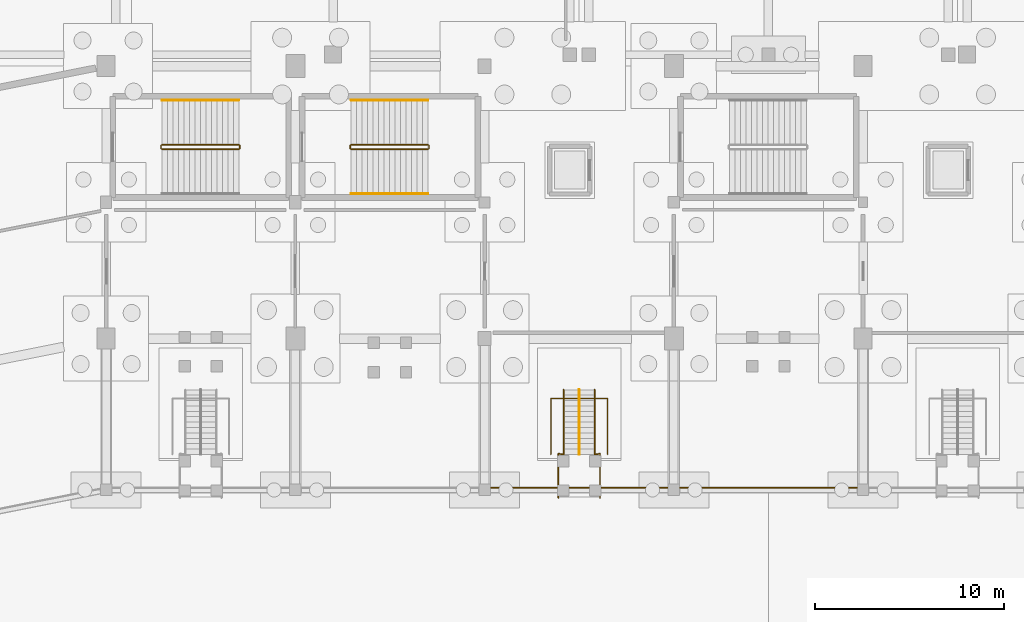
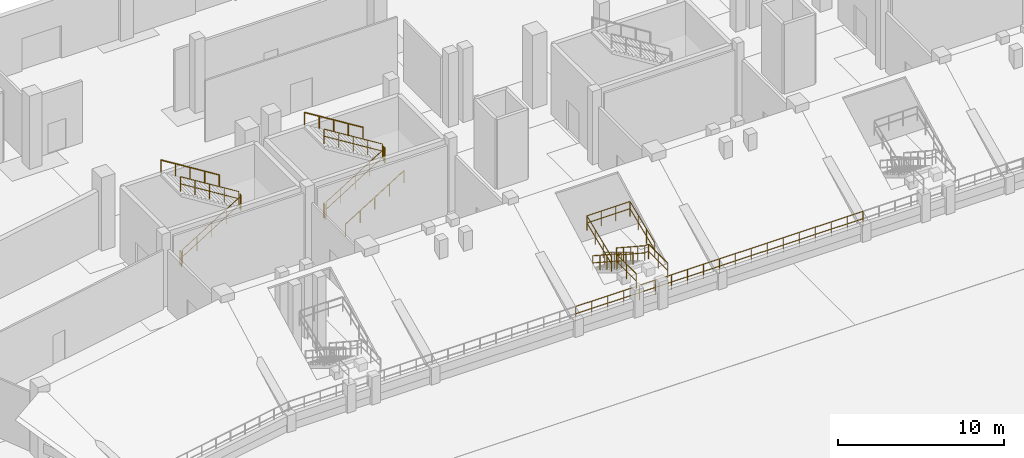
# One storey, part 63 of 68: 17 railings.
"""IFC4 building model written with IfcOpenShell, lengths in metres."""

from ifc_helpers import new_model, si_unit, direction, frame, origin, origin_2d, place, context, subcontext, project, spatial, circle, extrude, material, layer, layer_set, type_object, element, save


model = new_model("IFC4")

# Units and contexts
model_context = context("Model", 3, precision=1e-05, world=origin(), true_north=direction((0.0, 1.0)))
body_context = subcontext(model_context, "Body", "Model", "MODEL_VIEW")
ifc_project = project(units=[si_unit("LENGTHUNIT", "METRE"), si_unit("AREAUNIT", "SQUARE_METRE"), si_unit("VOLUMEUNIT", "CUBIC_METRE"), si_unit("PLANEANGLEUNIT", "RADIAN"), si_unit("MASSUNIT", "GRAM", prefix="KILO")], contexts=[model_context])

# Site, building, storey
site_placement = place(None, origin())
site = spatial("IfcSite", under=ifc_project, at=site_placement, CompositionType="ELEMENT")
building_placement = place(site_placement, origin())
building = spatial("IfcBuilding", under=site, at=building_placement, Name="Candeia Ridge Stadium", CompositionType="ELEMENT")
storey_placement = place(building_placement, origin())
storey = spatial("IfcBuildingStorey", under=building, at=storey_placement, Name="L00", CompositionType="ELEMENT", Elevation=0.0)

# Railings
ifc_material_1 = material(Name="Galvanized Powder-Coated Steel", Category="steel")
ifc_layer_1 = layer(ifc_material_1, 0.074951171875, Name="Galvanized Powder-Coated Steel", Category="steel")
ifc_layer_set_1 = layer_set([ifc_layer_1], Name="Galvanized Powder-Coated Steel")
railing_type_1 = type_object("IfcRailingType", Name="Spectator Bowl Front Guardrail 1120", PredefinedType="GUARDRAIL", material=ifc_layer_set_1)
for number, where, name in (
    (1, (111.0, 124.719970703125, 0.85009765625), "Stand T1 front safety guardrail bay 04"),
    (2, (101.0, 124.719970703125, 0.85009765625), "Stand T1 front safety guardrail bay 05"),
):
    element("IfcRailing", number, at=place(storey_placement, frame(where)), inside=storey, type_object=railing_type_1, Name=name, PredefinedType="GUARDRAIL", context=body_context, shape_type="SweptSolid", body=[
        extrude(circle(Radius=0.02392578125, at=origin_2d()), frame((0.0, 0.0, 1.09619140625), z_axis=(-1.0, 0.0, 0.0), x_axis=(0.0, -1.0, 0.0)), (0.0, 0.0, 1.0), 10.0),
        extrude(circle(Radius=0.02392578125, at=origin_2d()), frame((0.0, 0.0, 0.56005859375), z_axis=(-1.0, 0.0, 0.0), x_axis=(0.0, -1.0, 0.0)), (0.0, 0.0, 1.0), 10.0),
        extrude(circle(Radius=0.02099609375, at=origin_2d()), origin(), (0.0, 0.0, 1.0), 1.072021484375),
        extrude(circle(Radius=0.02099609375, at=origin_2d()), frame((-1.111083984375, 0.0, 0.0)), (0.0, 0.0, 1.0), 1.072021484375),
        extrude(circle(Radius=0.02099609375, at=origin_2d()), frame((-2.22216796875, 0.0, 0.0)), (0.0, 0.0, 1.0), 1.072021484375),
        extrude(circle(Radius=0.02099609375, at=origin_2d()), frame((-3.333251953125, 0.0, 0.0)), (0.0, 0.0, 1.0), 1.072021484375),
        extrude(circle(Radius=0.02099609375, at=origin_2d()), frame((-4.4443359375, 0.0, 0.0)), (0.0, 0.0, 1.0), 1.072021484375),
        extrude(circle(Radius=0.02099609375, at=origin_2d()), frame((-5.5556640625, 0.0, 0.0)), (0.0, 0.0, 1.0), 1.072021484375),
        extrude(circle(Radius=0.02099609375, at=origin_2d()), frame((-6.666748046875, 0.0, 0.0)), (0.0, 0.0, 1.0), 1.072021484375),
        extrude(circle(Radius=0.02099609375, at=origin_2d()), frame((-7.77783203125, 0.0, 0.0)), (0.0, 0.0, 1.0), 1.072021484375),
        extrude(circle(Radius=0.02099609375, at=origin_2d()), frame((-8.888916015625, 0.0, 0.0)), (0.0, 0.0, 1.0), 1.072021484375),
        extrude(circle(Radius=0.02099609375, at=origin_2d()), frame((-10.0, 0.0, 0.0)), (0.0, 0.0, 1.0), 1.072021484375),
    ])
ifc_material_2 = material(Name="Brushed Stainless Steel", Category="steel")
ifc_layer_2 = layer(ifc_material_2, 0.048095703125, Name="Brushed Stainless Steel", Category="steel")
ifc_layer_set_2 = layer_set([ifc_layer_2], Name="Brushed Stainless Steel")
railing_type_2 = type_object("IfcRailingType", Name="Stair Wall & Flight Handrail 900", PredefinedType="HANDRAIL", material=ifc_layer_set_2)
railing_1_placement = place(storey_placement, frame((78.010009765625, 145.199951171875, 2.8798828125)))
element("IfcRailing", 3, at=railing_1_placement, inside=storey, type_object=railing_type_2, Name="L00 ST01 stair handrail 2", PredefinedType="HANDRAIL", context=body_context, shape_type="SweptSolid", body=[
    extrude(circle(Radius=0.02392578125, at=origin_2d()), frame((0.0, 0.0, 0.8759765625), z_axis=(-0.849641744969, 0.0, 0.527360318194), x_axis=(0.0, -1.0, 0.0)), (0.0, 0.0, 1.0), 4.778564453125),
    extrude(circle(Radius=0.02099609375, at=origin_2d()), origin(), (0.0, 0.0, 1.0), 0.851806640625),
    extrude(circle(Radius=0.02099609375, at=origin_2d()), frame((-1.01513671875, 0.0, 0.6298828125)), (0.0, 0.0, 1.0), 0.851806640625),
    extrude(circle(Radius=0.02099609375, at=origin_2d()), frame((-2.030029296875, 0.0, 1.260009765625)), (0.0, 0.0, 1.0), 0.851806640625),
    extrude(circle(Radius=0.02099609375, at=origin_2d()), frame((-3.044921875, 0.0, 1.89013671875)), (0.0, 0.0, 1.0), 0.851806640625),
    extrude(circle(Radius=0.02099609375, at=origin_2d()), frame((-4.06005859375, 0.0, 2.52001953125)), (0.0, 0.0, 1.0), 0.851806640625),
])
railing_2_placement = place(storey_placement, frame((83.949951171875, 140.25, 0.179931640625)))
element("IfcRailing", 4, at=railing_2_placement, inside=storey, type_object=railing_type_2, Name="L00 ST09 stair handrail 1", PredefinedType="HANDRAIL", context=body_context, shape_type="SweptSolid", body=[
    extrude(circle(Radius=0.02392578125, at=origin_2d()), frame((0.0, 0.0, 0.8759765625), z_axis=(0.849641744969, 0.0, 0.527360318194), x_axis=(0.0, 1.0, 0.0)), (0.0, 0.0, 1.0), 4.778564453125),
    extrude(circle(Radius=0.02099609375, at=origin_2d()), origin(), (0.0, 0.0, 1.0), 0.851806640625),
    extrude(circle(Radius=0.02099609375, at=origin_2d()), frame((1.01513671875, 0.0, 0.6298828125)), (0.0, 0.0, 1.0), 0.851806640625),
    extrude(circle(Radius=0.02099609375, at=origin_2d()), frame((2.030029296875, 0.0, 1.260009765625)), (0.0, 0.0, 1.0), 0.851806640625),
    extrude(circle(Radius=0.02099609375, at=origin_2d()), frame((3.044921875, 0.0, 1.89013671875)), (0.0, 0.0, 1.0), 0.851806640625),
    extrude(circle(Radius=0.02099609375, at=origin_2d()), frame((4.06005859375, 0.0, 2.52001953125)), (0.0, 0.0, 1.0), 0.851806640625),
])
railing_3_placement = place(storey_placement, frame((88.010009765625, 145.199951171875, 2.8798828125)))
element("IfcRailing", 5, at=railing_3_placement, inside=storey, type_object=railing_type_2, Name="L00 ST09 stair handrail 2", PredefinedType="HANDRAIL", context=body_context, shape_type="SweptSolid", body=[
    extrude(circle(Radius=0.02392578125, at=origin_2d()), frame((0.0, 0.0, 0.8759765625), z_axis=(-0.849641744969, 0.0, 0.527360318194), x_axis=(0.0, -1.0, 0.0)), (0.0, 0.0, 1.0), 4.778564453125),
    extrude(circle(Radius=0.02099609375, at=origin_2d()), origin(), (0.0, 0.0, 1.0), 0.851806640625),
    extrude(circle(Radius=0.02099609375, at=origin_2d()), frame((-1.01513671875, 0.0, 0.6298828125)), (0.0, 0.0, 1.0), 0.851806640625),
    extrude(circle(Radius=0.02099609375, at=origin_2d()), frame((-2.030029296875, 0.0, 1.260009765625)), (0.0, 0.0, 1.0), 0.851806640625),
    extrude(circle(Radius=0.02099609375, at=origin_2d()), frame((-3.044921875, 0.0, 1.89013671875)), (0.0, 0.0, 1.0), 0.851806640625),
    extrude(circle(Radius=0.02099609375, at=origin_2d()), frame((-4.06005859375, 0.0, 2.52001953125)), (0.0, 0.0, 1.0), 0.851806640625),
])
railing_4_placement = place(storey_placement, frame((96.0, 129.89208984375, 0.17236328125)))
element("IfcRailing", 6, at=railing_4_placement, inside=storey, type_object=railing_type_2, Name="Vomitory stair handrail VS03", PredefinedType="HANDRAIL", context=body_context, shape_type="SweptSolid", body=[
    extrude(circle(Radius=0.02392578125, at=origin_2d()), frame((0.0, 0.0, 0.8759765625), z_axis=(0.0, -0.855774125036, 0.517349637014), x_axis=(1.0, 0.0, 0.0)), (0.0, 0.0, 1.0), 3.99658203125),
    extrude(circle(Radius=0.02099609375, at=origin_2d()), origin(), (0.0, 0.0, 1.0), 0.851806640625),
    extrude(circle(Radius=0.02099609375, at=origin_2d()), frame((0.0, -0.85498046875, 0.516845703125)), (0.0, 0.0, 1.0), 0.851806640625),
    extrude(circle(Radius=0.02099609375, at=origin_2d()), frame((0.0, -1.7099609375, 1.03369140625)), (0.0, 0.0, 1.0), 0.851806640625),
    extrude(circle(Radius=0.02099609375, at=origin_2d()), frame((0.0, -2.565185546875, 1.55078125)), (0.0, 0.0, 1.0), 0.851806640625),
    extrude(circle(Radius=0.02099609375, at=origin_2d()), frame((0.0, -3.420166015625, 2.067626953125)), (0.0, 0.0, 1.0), 0.851806640625),
])
ifc_layer_3 = layer(ifc_material_1, 0.06005859375, Name="Galvanized Powder-Coated Steel", Category="steel")
ifc_layer_set_3 = layer_set([ifc_layer_3], Name="Galvanized Powder-Coated Steel")
railing_type_3 = type_object("IfcRailingType", Name="Stair Well Guardrail 1100", PredefinedType="GUARDRAIL", material=ifc_layer_set_3)
railing_5_placement = place(storey_placement, frame((73.949951171875, 142.60009765625, 0.179931640625)))
element("IfcRailing", 7, at=railing_5_placement, inside=storey, type_object=railing_type_3, Name="L00 ST01 stair guard 1", PredefinedType="GUARDRAIL", context=body_context, shape_type="SweptSolid", body=[
    extrude(circle(Radius=0.02392578125, at=origin_2d()), frame((0.0, 0.0, 1.076171875), z_axis=(0.849641744969, 0.0, 0.527360318194), x_axis=(0.0, 1.0, 0.0)), (0.0, 0.0, 1.0), 4.778564453125),
    extrude(circle(Radius=0.02392578125, at=origin_2d()), frame((0.0, 0.0, 0.550048828125), z_axis=(0.849641744969, 0.0, 0.527360318194), x_axis=(0.0, 1.0, 0.0)), (0.0, 0.0, 1.0), 4.778564453125),
    extrude(circle(Radius=0.02099609375, at=origin_2d()), origin(), (0.0, 0.0, 1.0), 1.052001953125),
    extrude(circle(Radius=0.02099609375, at=origin_2d()), frame((1.01513671875, 0.0, 0.6298828125)), (0.0, 0.0, 1.0), 1.052001953125),
    extrude(circle(Radius=0.02099609375, at=origin_2d()), frame((2.030029296875, 0.0, 1.260009765625)), (0.0, 0.0, 1.0), 1.052001953125),
    extrude(circle(Radius=0.02099609375, at=origin_2d()), frame((3.044921875, 0.0, 1.89013671875)), (0.0, 0.0, 1.0), 1.052001953125),
    extrude(circle(Radius=0.02099609375, at=origin_2d()), frame((4.06005859375, 0.0, 2.52001953125)), (0.0, 0.0, 1.0), 1.052001953125),
])
railing_6_placement = place(storey_placement, frame((78.06005859375, 142.64990234375, 2.699951171875)))
element("IfcRailing", 8, at=railing_6_placement, inside=storey, type_object=railing_type_3, Name="L00 ST01 stair guard 2", PredefinedType="GUARDRAIL", context=body_context, shape_type="SweptSolid", body=[
    extrude(circle(Radius=0.02392578125, at=origin_2d()), frame((0.0, 0.0, 1.076171875), z_axis=(0.0, 1.0, 0.0), x_axis=(-1.0, 0.0, 0.0)), (0.0, 0.0, 1.0), 0.150146484375),
    extrude(circle(Radius=0.02392578125, at=origin_2d()), frame((0.0, 0.0, 0.550048828125), z_axis=(0.0, 1.0, 0.0), x_axis=(-1.0, 0.0, 0.0)), (0.0, 0.0, 1.0), 0.150146484375),
    extrude(circle(Radius=0.02099609375, at=origin_2d()), origin(), (0.0, 0.0, 1.0), 1.052001953125),
    extrude(circle(Radius=0.02099609375, at=origin_2d()), frame((0.0, 0.150146484375, 0.0)), (0.0, 0.0, 1.0), 1.052001953125),
])
railing_7_placement = place(storey_placement, frame((78.010009765625, 142.85009765625, 2.8798828125)))
element("IfcRailing", 9, at=railing_7_placement, inside=storey, type_object=railing_type_3, Name="L00 ST01 stair guard 3", PredefinedType="GUARDRAIL", context=body_context, shape_type="SweptSolid", body=[
    extrude(circle(Radius=0.02392578125, at=origin_2d()), frame((0.0, 0.0, 1.076171875), z_axis=(-0.849641744969, 0.0, 0.527360318194), x_axis=(0.0, -1.0, 0.0)), (0.0, 0.0, 1.0), 4.778564453125),
    extrude(circle(Radius=0.02392578125, at=origin_2d()), frame((0.0, 0.0, 0.550048828125), z_axis=(-0.849641744969, 0.0, 0.527360318194), x_axis=(0.0, -1.0, 0.0)), (0.0, 0.0, 1.0), 4.778564453125),
    extrude(circle(Radius=0.02099609375, at=origin_2d()), origin(), (0.0, 0.0, 1.0), 1.052001953125),
    extrude(circle(Radius=0.02099609375, at=origin_2d()), frame((-1.01513671875, 0.0, 0.6298828125)), (0.0, 0.0, 1.0), 1.052001953125),
    extrude(circle(Radius=0.02099609375, at=origin_2d()), frame((-2.030029296875, 0.0, 1.260009765625)), (0.0, 0.0, 1.0), 1.052001953125),
    extrude(circle(Radius=0.02099609375, at=origin_2d()), frame((-3.044921875, 0.0, 1.89013671875)), (0.0, 0.0, 1.0), 1.052001953125),
    extrude(circle(Radius=0.02099609375, at=origin_2d()), frame((-4.06005859375, 0.0, 2.52001953125)), (0.0, 0.0, 1.0), 1.052001953125),
])
railing_8_placement = place(storey_placement, frame((73.89990234375, 142.64990234375, 0.0)))
element("IfcRailing", 10, at=railing_8_placement, inside=storey, type_object=railing_type_3, Name="L00 ST01 stair guard 4", PredefinedType="GUARDRAIL", context=body_context, shape_type="SweptSolid", body=[
    extrude(circle(Radius=0.02392578125, at=origin_2d()), frame((0.0, 0.0, 1.076171875), z_axis=(0.0, 1.0, 0.0), x_axis=(-1.0, 0.0, 0.0)), (0.0, 0.0, 1.0), 0.150146484375),
    extrude(circle(Radius=0.02392578125, at=origin_2d()), frame((0.0, 0.0, 0.550048828125), z_axis=(0.0, 1.0, 0.0), x_axis=(-1.0, 0.0, 0.0)), (0.0, 0.0, 1.0), 0.150146484375),
    extrude(circle(Radius=0.02099609375, at=origin_2d()), origin(), (0.0, 0.0, 1.0), 1.052001953125),
    extrude(circle(Radius=0.02099609375, at=origin_2d()), frame((0.0, 0.150146484375, 0.0)), (0.0, 0.0, 1.0), 1.052001953125),
])
railing_9_placement = place(storey_placement, frame((83.949951171875, 142.60009765625, 0.179931640625)))
element("IfcRailing", 11, at=railing_9_placement, inside=storey, type_object=railing_type_3, Name="L00 ST09 stair guard 1", PredefinedType="GUARDRAIL", context=body_context, shape_type="SweptSolid", body=[
    extrude(circle(Radius=0.02392578125, at=origin_2d()), frame((0.0, 0.0, 1.076171875), z_axis=(0.849641744969, 0.0, 0.527360318194), x_axis=(0.0, 1.0, 0.0)), (0.0, 0.0, 1.0), 4.778564453125),
    extrude(circle(Radius=0.02392578125, at=origin_2d()), frame((0.0, 0.0, 0.550048828125), z_axis=(0.849641744969, 0.0, 0.527360318194), x_axis=(0.0, 1.0, 0.0)), (0.0, 0.0, 1.0), 4.778564453125),
    extrude(circle(Radius=0.02099609375, at=origin_2d()), origin(), (0.0, 0.0, 1.0), 1.052001953125),
    extrude(circle(Radius=0.02099609375, at=origin_2d()), frame((1.01513671875, 0.0, 0.6298828125)), (0.0, 0.0, 1.0), 1.052001953125),
    extrude(circle(Radius=0.02099609375, at=origin_2d()), frame((2.030029296875, 0.0, 1.260009765625)), (0.0, 0.0, 1.0), 1.052001953125),
    extrude(circle(Radius=0.02099609375, at=origin_2d()), frame((3.044921875, 0.0, 1.89013671875)), (0.0, 0.0, 1.0), 1.052001953125),
    extrude(circle(Radius=0.02099609375, at=origin_2d()), frame((4.06005859375, 0.0, 2.52001953125)), (0.0, 0.0, 1.0), 1.052001953125),
])
railing_10_placement = place(storey_placement, frame((88.06005859375, 142.64990234375, 2.699951171875)))
element("IfcRailing", 12, at=railing_10_placement, inside=storey, type_object=railing_type_3, Name="L00 ST09 stair guard 2", PredefinedType="GUARDRAIL", context=body_context, shape_type="SweptSolid", body=[
    extrude(circle(Radius=0.02392578125, at=origin_2d()), frame((0.0, 0.0, 1.076171875), z_axis=(0.0, 1.0, 0.0), x_axis=(-1.0, 0.0, 0.0)), (0.0, 0.0, 1.0), 0.150146484375),
    extrude(circle(Radius=0.02392578125, at=origin_2d()), frame((0.0, 0.0, 0.550048828125), z_axis=(0.0, 1.0, 0.0), x_axis=(-1.0, 0.0, 0.0)), (0.0, 0.0, 1.0), 0.150146484375),
    extrude(circle(Radius=0.02099609375, at=origin_2d()), origin(), (0.0, 0.0, 1.0), 1.052001953125),
    extrude(circle(Radius=0.02099609375, at=origin_2d()), frame((0.0, 0.150146484375, 0.0)), (0.0, 0.0, 1.0), 1.052001953125),
])
railing_11_placement = place(storey_placement, frame((88.010009765625, 142.85009765625, 2.8798828125)))
element("IfcRailing", 13, at=railing_11_placement, inside=storey, type_object=railing_type_3, Name="L00 ST09 stair guard 3", PredefinedType="GUARDRAIL", context=body_context, shape_type="SweptSolid", body=[
    extrude(circle(Radius=0.02392578125, at=origin_2d()), frame((0.0, 0.0, 1.076171875), z_axis=(-0.849641744969, 0.0, 0.527360318194), x_axis=(0.0, -1.0, 0.0)), (0.0, 0.0, 1.0), 4.778564453125),
    extrude(circle(Radius=0.02392578125, at=origin_2d()), frame((0.0, 0.0, 0.550048828125), z_axis=(-0.849641744969, 0.0, 0.527360318194), x_axis=(0.0, -1.0, 0.0)), (0.0, 0.0, 1.0), 4.778564453125),
    extrude(circle(Radius=0.02099609375, at=origin_2d()), origin(), (0.0, 0.0, 1.0), 1.052001953125),
    extrude(circle(Radius=0.02099609375, at=origin_2d()), frame((-1.01513671875, 0.0, 0.6298828125)), (0.0, 0.0, 1.0), 1.052001953125),
    extrude(circle(Radius=0.02099609375, at=origin_2d()), frame((-2.030029296875, 0.0, 1.260009765625)), (0.0, 0.0, 1.0), 1.052001953125),
    extrude(circle(Radius=0.02099609375, at=origin_2d()), frame((-3.044921875, 0.0, 1.89013671875)), (0.0, 0.0, 1.0), 1.052001953125),
    extrude(circle(Radius=0.02099609375, at=origin_2d()), frame((-4.06005859375, 0.0, 2.52001953125)), (0.0, 0.0, 1.0), 1.052001953125),
])
railing_12_placement = place(storey_placement, frame((83.89990234375, 142.64990234375, 0.0)))
element("IfcRailing", 14, at=railing_12_placement, inside=storey, type_object=railing_type_3, Name="L00 ST09 stair guard 4", PredefinedType="GUARDRAIL", context=body_context, shape_type="SweptSolid", body=[
    extrude(circle(Radius=0.02392578125, at=origin_2d()), frame((0.0, 0.0, 1.076171875), z_axis=(0.0, 1.0, 0.0), x_axis=(-1.0, 0.0, 0.0)), (0.0, 0.0, 1.0), 0.150146484375),
    extrude(circle(Radius=0.02392578125, at=origin_2d()), frame((0.0, 0.0, 0.550048828125), z_axis=(0.0, 1.0, 0.0), x_axis=(-1.0, 0.0, 0.0)), (0.0, 0.0, 1.0), 0.150146484375),
    extrude(circle(Radius=0.02099609375, at=origin_2d()), origin(), (0.0, 0.0, 1.0), 1.052001953125),
    extrude(circle(Radius=0.02099609375, at=origin_2d()), frame((0.0, 0.150146484375, 0.0)), (0.0, 0.0, 1.0), 1.052001953125),
])
ifc_layer_4 = layer(ifc_material_1, 0.070068359375, Name="Galvanized Powder-Coated Steel", Category="steel")
ifc_layer_set_4 = layer_set([ifc_layer_4], Name="Galvanized Powder-Coated Steel")
railing_type_4 = type_object("IfcRailingType", Name="Vomitory Portal Guardrail 1100", PredefinedType="GUARDRAIL", material=ifc_layer_set_4)
railing_13_placement = place(storey_placement, frame((97.5, 126.471923828125, 2.239990234375)))
element("IfcRailing", 15, at=railing_13_placement, inside=storey, type_object=railing_type_4, Name="Vomitory portal guardrail VS03", PredefinedType="GUARDRAIL", context=body_context, shape_type="SweptSolid", body=[
    extrude(circle(Radius=0.02392578125, at=origin_2d()), frame((0.0, 0.0, 1.076171875), z_axis=(0.0, 0.92538053309, 0.379039402937), x_axis=(-1.0, 0.0, 0.0)), (0.0, 0.0, 1.0), 3.203125),
    extrude(circle(Radius=0.02392578125, at=origin_2d()), frame((0.0, 0.0, 0.550048828125), z_axis=(0.0, 0.92538053309, 0.379039402937), x_axis=(-1.0, 0.0, 0.0)), (0.0, 0.0, 1.0), 3.203125),
    extrude(circle(Radius=0.02392578125, at=origin_2d()), frame((0.0, 2.964111328125, 2.2900390625), z_axis=(-1.0, 0.0, 0.0), x_axis=(0.0, -1.0, 0.0)), (0.0, 0.0, 1.0), 3.0),
    extrude(circle(Radius=0.02392578125, at=origin_2d()), frame((0.0, 2.964111328125, 1.76416015625), z_axis=(-1.0, 0.0, 0.0), x_axis=(0.0, -1.0, 0.0)), (0.0, 0.0, 1.0), 3.0),
    extrude(circle(Radius=0.02392578125, at=origin_2d()), frame((-3.0, 2.964111328125, 2.2900390625), z_axis=(0.0, -0.92538053309, -0.379039402937), x_axis=(1.0, 0.0, 0.0)), (0.0, 0.0, 1.0), 3.203125),
    extrude(circle(Radius=0.02392578125, at=origin_2d()), frame((-3.0, 2.964111328125, 1.76416015625), z_axis=(0.0, -0.92538053309, -0.379039402937), x_axis=(1.0, 0.0, 0.0)), (0.0, 0.0, 1.0), 3.203125),
    extrude(circle(Radius=0.02099609375, at=origin_2d()), origin(), (0.0, 0.0, 1.0), 1.052001953125),
    extrude(circle(Radius=0.02099609375, at=origin_2d()), frame((0.0, 0.988037109375, 0.40478515625)), (0.0, 0.0, 1.0), 1.052001953125),
    extrude(circle(Radius=0.02099609375, at=origin_2d()), frame((0.0, 1.97607421875, 0.809326171875)), (0.0, 0.0, 1.0), 1.052001953125),
    extrude(circle(Radius=0.02099609375, at=origin_2d()), frame((0.0, 2.964111328125, 1.214111328125)), (0.0, 0.0, 1.0), 1.052001953125),
    extrude(circle(Radius=0.02099609375, at=origin_2d()), frame((-1.0, 2.964111328125, 1.214111328125)), (0.0, 0.0, 1.0), 1.052001953125),
    extrude(circle(Radius=0.02099609375, at=origin_2d()), frame((-2.0, 2.964111328125, 1.214111328125)), (0.0, 0.0, 1.0), 1.052001953125),
    extrude(circle(Radius=0.02099609375, at=origin_2d()), frame((-3.0, 2.964111328125, 1.214111328125)), (0.0, 0.0, 1.0), 1.052001953125),
    extrude(circle(Radius=0.02099609375, at=origin_2d()), frame((-3.0, 1.97607421875, 0.809326171875)), (0.0, 0.0, 1.0), 1.052001953125),
    extrude(circle(Radius=0.02099609375, at=origin_2d()), frame((-3.0, 0.988037109375, 0.40478515625)), (0.0, 0.0, 1.0), 1.052001953125),
    extrude(circle(Radius=0.02099609375, at=origin_2d()), frame((-3.0, 0.0, 0.0)), (0.0, 0.0, 1.0), 1.052001953125),
])
railing_14_placement = place(storey_placement, frame((96.820068359375, 129.89208984375, 0.0)))
element("IfcRailing", 16, at=railing_14_placement, inside=storey, type_object=railing_type_4, Name="Vomitory stair & landing side guardrail VS03-L", PredefinedType="GUARDRAIL", context=body_context, shape_type="SweptSolid", body=[
    extrude(circle(Radius=0.02392578125, at=origin_2d()), frame((0.0, 0.0, 1.076171875), z_axis=(0.0, -0.836551734384, 0.547887940822), x_axis=(1.0, 0.0, 0.0)), (0.0, 0.0, 1.0), 4.08837890625),
    extrude(circle(Radius=0.02392578125, at=origin_2d()), frame((0.0, 0.0, 0.550048828125), z_axis=(0.0, -0.836551734384, 0.547887940822), x_axis=(1.0, 0.0, 0.0)), (0.0, 0.0, 1.0), 4.08837890625),
    extrude(circle(Radius=0.02392578125, at=origin_2d()), frame((0.0, -3.420166015625, 3.31591796875), z_axis=(0.989932225045, 0.141542183877, 0.0), x_axis=(-0.141542183877, 0.989932225045, 0.0)), (0.0, 0.0, 1.0), 0.282958984375),
    extrude(circle(Radius=0.02392578125, at=origin_2d()), frame((0.0, -3.420166015625, 2.7900390625), z_axis=(0.989932225045, 0.141542183877, 0.0), x_axis=(-0.141542183877, 0.989932225045, 0.0)), (0.0, 0.0, 1.0), 0.282958984375),
    extrude(circle(Radius=0.02392578125, at=origin_2d()), frame((0.280029296875, -3.380126953125, 3.31591796875), z_axis=(0.0, -1.0, 0.0), x_axis=(1.0, 0.0, 0.0)), (0.0, 0.0, 1.0), 2.320068359375),
    extrude(circle(Radius=0.02392578125, at=origin_2d()), frame((0.280029296875, -3.380126953125, 2.7900390625), z_axis=(0.0, -1.0, 0.0), x_axis=(1.0, 0.0, 0.0)), (0.0, 0.0, 1.0), 2.320068359375),
    extrude(circle(Radius=0.02099609375, at=origin_2d()), origin(), (0.0, 0.0, 1.0), 1.052001953125),
    extrude(circle(Radius=0.02099609375, at=origin_2d()), frame((0.0, -0.85498046875, 0.56005859375)), (0.0, 0.0, 1.0), 1.052001953125),
    extrude(circle(Radius=0.02099609375, at=origin_2d()), frame((0.0, -1.7099609375, 1.1201171875)), (0.0, 0.0, 1.0), 1.052001953125),
    extrude(circle(Radius=0.02099609375, at=origin_2d()), frame((0.0, -2.565185546875, 1.679931640625)), (0.0, 0.0, 1.0), 1.052001953125),
    extrude(circle(Radius=0.02099609375, at=origin_2d()), frame((0.0, -3.420166015625, 2.239990234375)), (0.0, 0.0, 1.0), 1.052001953125),
    extrude(circle(Radius=0.02099609375, at=origin_2d()), frame((0.280029296875, -3.380126953125, 2.239990234375)), (0.0, 0.0, 1.0), 1.052001953125),
    extrude(circle(Radius=0.02099609375, at=origin_2d()), frame((0.280029296875, -4.5400390625, 2.239990234375)), (0.0, 0.0, 1.0), 1.052001953125),
    extrude(circle(Radius=0.02099609375, at=origin_2d()), frame((0.280029296875, -5.7001953125, 2.239990234375)), (0.0, 0.0, 1.0), 1.052001953125),
])
railing_15_placement = place(storey_placement, frame((95.179931640625, 129.89208984375, 0.0)))
element("IfcRailing", 17, at=railing_15_placement, inside=storey, type_object=railing_type_4, Name="Vomitory stair & landing side guardrail VS03-R", PredefinedType="GUARDRAIL", context=body_context, shape_type="SweptSolid", body=[
    extrude(circle(Radius=0.02392578125, at=origin_2d()), frame((0.0, 0.0, 1.076171875), z_axis=(0.0, -0.836551734384, 0.547887940822), x_axis=(1.0, 0.0, 0.0)), (0.0, 0.0, 1.0), 4.08837890625),
    extrude(circle(Radius=0.02392578125, at=origin_2d()), frame((0.0, 0.0, 0.550048828125), z_axis=(0.0, -0.836551734384, 0.547887940822), x_axis=(1.0, 0.0, 0.0)), (0.0, 0.0, 1.0), 4.08837890625),
    extrude(circle(Radius=0.02392578125, at=origin_2d()), frame((0.0, -3.420166015625, 3.31591796875), z_axis=(-0.989932225045, 0.141542183877, 0.0), x_axis=(-0.141542183877, -0.989932225045, 0.0)), (0.0, 0.0, 1.0), 0.282958984375),
    extrude(circle(Radius=0.02392578125, at=origin_2d()), frame((0.0, -3.420166015625, 2.7900390625), z_axis=(-0.989932225045, 0.141542183877, 0.0), x_axis=(-0.141542183877, -0.989932225045, 0.0)), (0.0, 0.0, 1.0), 0.282958984375),
    extrude(circle(Radius=0.02392578125, at=origin_2d()), frame((-0.280029296875, -3.380126953125, 3.31591796875), z_axis=(0.0, -1.0, 0.0), x_axis=(1.0, 0.0, 0.0)), (0.0, 0.0, 1.0), 2.320068359375),
    extrude(circle(Radius=0.02392578125, at=origin_2d()), frame((-0.280029296875, -3.380126953125, 2.7900390625), z_axis=(0.0, -1.0, 0.0), x_axis=(1.0, 0.0, 0.0)), (0.0, 0.0, 1.0), 2.320068359375),
    extrude(circle(Radius=0.02099609375, at=origin_2d()), origin(), (0.0, 0.0, 1.0), 1.052001953125),
    extrude(circle(Radius=0.02099609375, at=origin_2d()), frame((0.0, -0.85498046875, 0.56005859375)), (0.0, 0.0, 1.0), 1.052001953125),
    extrude(circle(Radius=0.02099609375, at=origin_2d()), frame((0.0, -1.7099609375, 1.1201171875)), (0.0, 0.0, 1.0), 1.052001953125),
    extrude(circle(Radius=0.02099609375, at=origin_2d()), frame((0.0, -2.565185546875, 1.679931640625)), (0.0, 0.0, 1.0), 1.052001953125),
    extrude(circle(Radius=0.02099609375, at=origin_2d()), frame((0.0, -3.420166015625, 2.239990234375)), (0.0, 0.0, 1.0), 1.052001953125),
    extrude(circle(Radius=0.02099609375, at=origin_2d()), frame((-0.280029296875, -3.380126953125, 2.239990234375)), (0.0, 0.0, 1.0), 1.052001953125),
    extrude(circle(Radius=0.02099609375, at=origin_2d()), frame((-0.280029296875, -4.5400390625, 2.239990234375)), (0.0, 0.0, 1.0), 1.052001953125),
    extrude(circle(Radius=0.02099609375, at=origin_2d()), frame((-0.280029296875, -5.7001953125, 2.239990234375)), (0.0, 0.0, 1.0), 1.052001953125),
])

save(model, "model.ifc")
